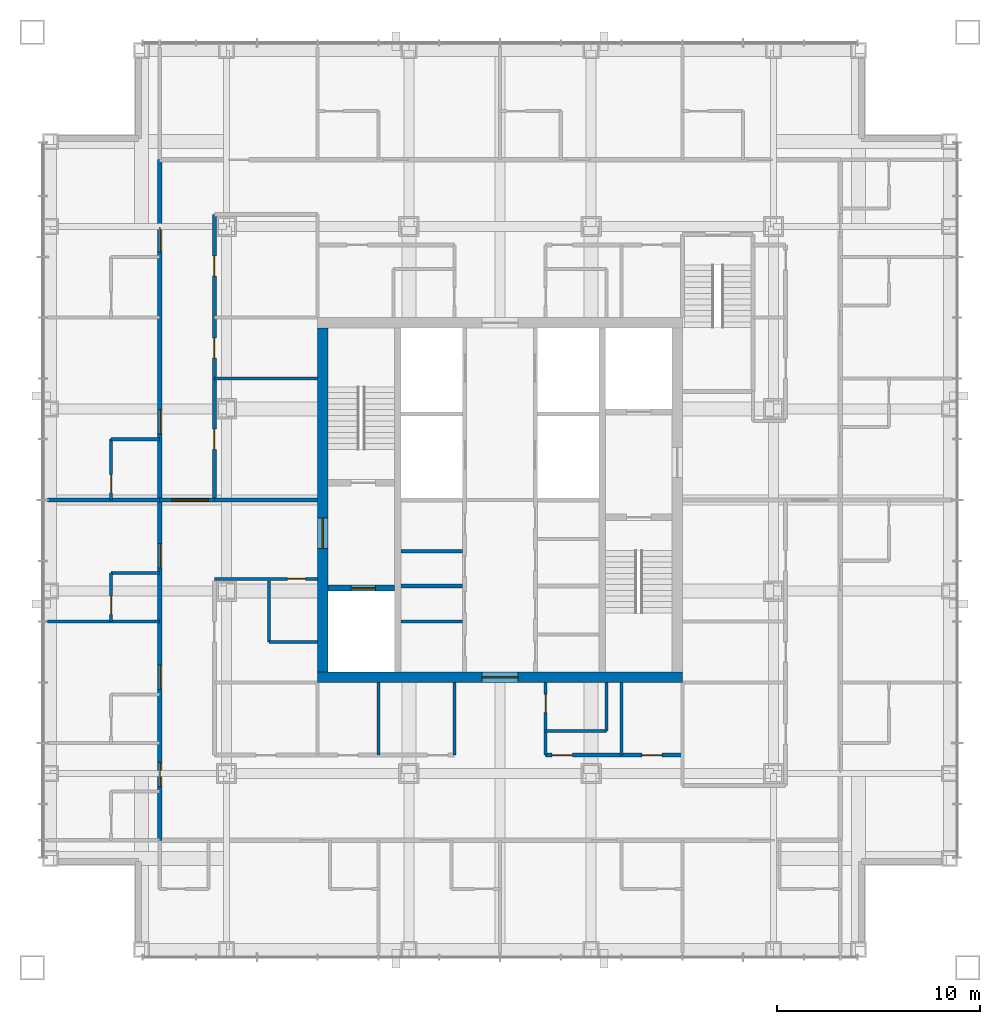
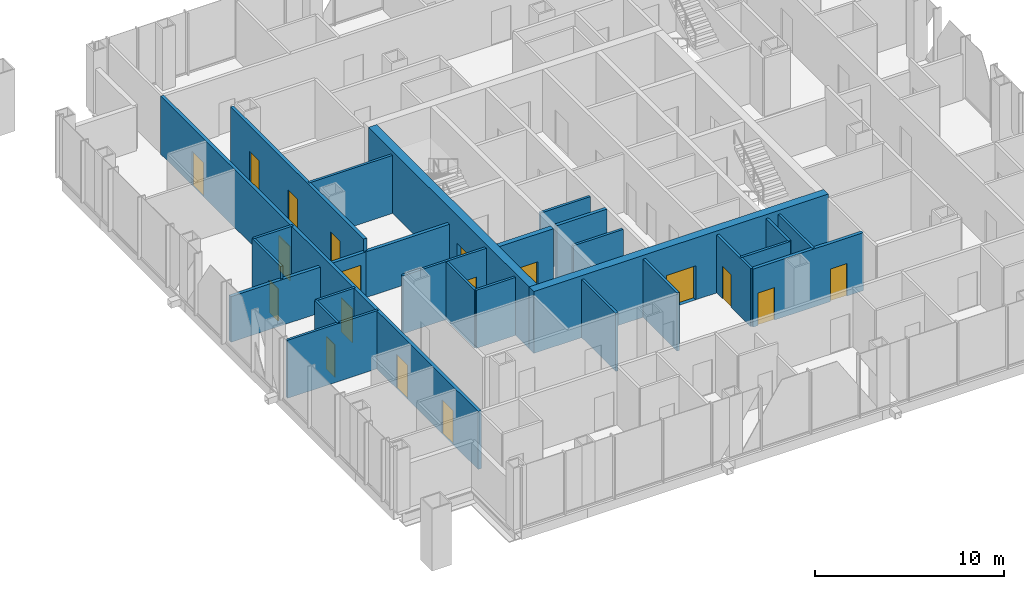
# One storey, part 8 of 17: 27 walls, 18 doors, 18 openings.
"""IFC4 building model written with IfcOpenShell, lengths in metres."""

from ifc_helpers import new_model, si_unit, direction, frame, frame_2d, origin, place, context, subcontext, project, spatial, rectangle, extrude, material, layer, layer_set, type_object, element, fill, save


model = new_model("IFC4")

# Units and contexts
model_context = context("Model", 3, precision=1e-05, world=origin(), true_north=direction((0.0, 1.0)))
body_context = subcontext(model_context, "Body", "Model", "MODEL_VIEW")
ifc_project = project(units=[si_unit("LENGTHUNIT", "METRE"), si_unit("AREAUNIT", "SQUARE_METRE"), si_unit("VOLUMEUNIT", "CUBIC_METRE"), si_unit("PLANEANGLEUNIT", "RADIAN"), si_unit("MASSUNIT", "GRAM", prefix="KILO")], contexts=[model_context])

# Site, building, storey
site_placement = place(None, origin())
site = spatial("IfcSite", under=ifc_project, at=site_placement, CompositionType="ELEMENT")
building_placement = place(site_placement, origin())
building = spatial("IfcBuilding", under=site, at=building_placement, Name="Malebo Sky Hospital", CompositionType="ELEMENT")
storey_placement = place(building_placement, frame((0.0, 0.0, 237.0)))
storey = spatial("IfcBuildingStorey", under=building, at=storey_placement, Name="L57", CompositionType="ELEMENT", Elevation=237.0)

# Wall
ifc_material_1 = material(Name="Concrete C80/95", Category="concrete")
ifc_layer_1 = layer(ifc_material_1, 0.199951171875)
ifc_layer_set_1 = layer_set([ifc_layer_1], Name="CORE INNER WALL 200")
wall_type_1 = type_object("IfcWallType", Name="CORE INNER WALL 200", PredefinedType="SHEAR", material=ifc_layer_set_1)
wall_1_placement = place(storey_placement, frame((55.10009765625, 57.75, 0.0), z_axis=(0.0, 0.0, 1.0), x_axis=(1.0, 0.0, 0.0)))
element("IfcWall", 1, at=wall_1_placement, inside=storey, type_object=wall_type_1, Name="Core wall SW0 L57", PredefinedType="SHEAR", context=body_context, shape_type="SweptSolid", body=[
    extrude(rectangle(XDim=3.0498046875, YDim=0.199951171875, at=frame_2d((1.52490234375, 0.0))), origin(), (0.0, 0.0, 1.0), 4.0),
])

# Wall, opening, door
ifc_layer_2 = layer(ifc_material_1, 0.300048828125)
ifc_layer_set_2 = layer_set([ifc_layer_2], Name="CORE INNER WALL 300")
wall_type_2 = type_object("IfcWallType", Name="CORE INNER WALL 300", PredefinedType="SHEAR", material=ifc_layer_set_2)
wall_2_placement = place(storey_placement, frame((51.5, 57.64990234375, 0.0), z_axis=(0.0, 0.0, 1.0), x_axis=(1.0, 0.0, 0.0)))
wall_2 = element("IfcWall", 2, at=wall_2_placement, inside=storey, type_object=wall_type_2, Name="Core wall W2 L57", PredefinedType="SHEAR", context=body_context, shape_type="SweptSolid", body=[
    extrude(rectangle(XDim=3.300048828125, YDim=0.300048828125, at=frame_2d((1.64990234375, 0.0))), origin(), (0.0, 0.0, 1.0), 4.0),
])
opening_1_placement = place(wall_2_placement, frame((1.14990234375, 0.0, 0.0)))
opening_1 = element("IfcOpeningElement", 3, at=opening_1_placement, cuts=wall_2, Name="Opening LD2", PredefinedType="OPENING", context=body_context, shape_type="SweptSolid", body=[
    extrude(rectangle(XDim=1.199951171875, YDim=2.199951171875, at=frame_2d((0.60009765625, 1.10009765625))), frame((0.0, 0.159912109375, 0.0), z_axis=(0.0, -1.0, 0.0), x_axis=(1.0, 0.0, 0.0)), (0.0, 0.0, 1.0), 0.320068359375),
])
ifc_material_2 = material(Name="Stainless steel sliding landing door", Category="steel")
door_type_1 = type_object("IfcDoorType", Name="FIRE-FIGHTING LIFT LANDING DOOR 1200", OperationType="SLIDING_TO_LEFT", PredefinedType="DOOR", material=ifc_material_2)
door_1_placement = place(opening_1_placement, origin())
door_1 = element("IfcDoor", 4, at=door_1_placement, inside=storey, type_object=door_type_1, Name="Lift FL1 landing door", OperationType="SLIDING_TO_LEFT", OverallHeight=2.199951171875, OverallWidth=1.199951171875, PredefinedType="DOOR", context=body_context, shape_type="SweptSolid", body=[
    extrude(rectangle(XDim=1.199951171875, YDim=2.199951171875, at=frame_2d((0.60009765625, 1.10009765625))), frame((0.0, 0.02490234375, 0.0), z_axis=(0.0, -1.0, 0.0), x_axis=(1.0, 0.0, 0.0)), (0.0, 0.0, 1.0), 0.050048828125),
])
fill(opening_1, door_1)

ifc_layer_3 = layer(ifc_material_1, 0.5)
ifc_layer_set_3 = layer_set([ifc_layer_3], Name="CORE WALL 500")
wall_type_3 = type_object("IfcWallType", Name="CORE WALL 500", PredefinedType="SHEAR", material=ifc_layer_set_3)
wall_3_placement = place(storey_placement, frame((51.0, 53.25, 0.0), z_axis=(0.0, 0.0, 1.0), x_axis=(1.0, 0.0, 0.0)))
wall_3 = element("IfcWall", 5, at=wall_3_placement, inside=storey, type_object=wall_type_3, Name="Core wall S L57", PredefinedType="SHEAR", context=body_context, shape_type="SweptSolid", body=[
    extrude(rectangle(XDim=18.0, YDim=0.5, at=frame_2d((9.0, 0.0))), origin(), (0.0, 0.0, 1.0), 4.0),
])
opening_2_placement = place(wall_3_placement, frame((8.10009765625, 0.0, 0.0)))
opening_2 = element("IfcOpeningElement", 6, at=opening_2_placement, cuts=wall_3, Name="Opening D06", PredefinedType="OPENING", context=body_context, shape_type="SweptSolid", body=[
    extrude(rectangle(XDim=1.800048828125, YDim=2.199951171875, at=frame_2d((0.89990234375, 1.10009765625))), frame((0.0, 0.260009765625, 0.0), z_axis=(0.0, -1.0, 0.0), x_axis=(1.0, 0.0, 0.0)), (0.0, 0.0, 1.0), 0.52001953125),
])
ifc_material_3 = material(Name="Hardwood-faced door leaf in steel frame", Category="steel")
door_type_2 = type_object("IfcDoorType", Name="LOBBY DOOR PAIR 1800", OperationType="DOUBLE_DOOR_SINGLE_SWING", PredefinedType="DOOR", material=ifc_material_3)
door_2_placement = place(opening_2_placement, origin())
door_2 = element("IfcDoor", 7, at=door_2_placement, inside=storey, type_object=door_type_2, Name="Service lobby door south", OperationType="DOUBLE_DOOR_SINGLE_SWING", OverallHeight=2.199951171875, OverallWidth=1.800048828125, PredefinedType="DOOR", context=body_context, shape_type="SweptSolid", body=[
    extrude(rectangle(XDim=1.800048828125, YDim=2.199951171875, at=frame_2d((0.89990234375, 1.10009765625))), frame((0.0, 0.02490234375, 0.0), z_axis=(0.0, -1.0, 0.0), x_axis=(1.0, 0.0, 0.0)), (0.0, 0.0, 1.0), 0.050048828125),
])
fill(opening_2, door_2)

wall_4_placement = place(storey_placement, frame((51.25, 53.5, 0.0), z_axis=(0.0, 0.0, 1.0), x_axis=(0.0, 1.0, 0.0)))
wall_4 = element("IfcWall", 8, at=wall_4_placement, inside=storey, type_object=wall_type_3, Name="Core wall W L57", PredefinedType="SHEAR", context=body_context, shape_type="SweptSolid", body=[
    extrude(rectangle(XDim=17.0, YDim=0.5, at=frame_2d((8.5, 0.0))), origin(), (0.0, 0.0, 1.0), 4.0),
])
opening_3_placement = place(wall_4_placement, frame((6.10009765625, 0.0, 0.0)))
opening_3 = element("IfcOpeningElement", 9, at=opening_3_placement, cuts=wall_4, Name="Opening D07", PredefinedType="OPENING", context=body_context, shape_type="SweptSolid", body=[
    extrude(rectangle(XDim=1.5, YDim=2.199951171875, at=frame_2d((0.75, 1.10009765625))), frame((0.0, 0.260009765625, 0.0), z_axis=(0.0, -1.0, 0.0), x_axis=(1.0, 0.0, 0.0)), (0.0, 0.0, 1.0), 0.52001953125),
])
door_type_3 = type_object("IfcDoorType", Name="FIRE-FIGHTING LOBBY DOOR PAIR 1500", OperationType="DOUBLE_DOOR_SINGLE_SWING", PredefinedType="DOOR", material=ifc_material_3)
door_3_placement = place(opening_3_placement, origin())
door_3 = element("IfcDoor", 10, at=door_3_placement, inside=storey, type_object=door_type_3, Name="Fire-fighting lobby door west", OperationType="DOUBLE_DOOR_SINGLE_SWING", OverallHeight=2.199951171875, OverallWidth=1.5, PredefinedType="DOOR", context=body_context, shape_type="SweptSolid", body=[
    extrude(rectangle(XDim=1.5, YDim=2.199951171875, at=frame_2d((0.75, 1.10009765625))), frame((0.0, 0.02490234375, 0.0), z_axis=(0.0, -1.0, 0.0), x_axis=(1.0, 0.0, 0.0)), (0.0, 0.0, 1.0), 0.050048828125),
])
fill(opening_3, door_3)

# Wall, openings, doors
ifc_material_4 = material(Name="Gypsum board on steel studs", Category="steel")
ifc_layer_4 = layer(ifc_material_4, 0.199951171875)
ifc_layer_set_4 = layer_set([ifc_layer_4], Name="CORRIDOR WALL 200")
wall_type_4 = type_object("IfcWallType", Name="CORRIDOR WALL 200", PredefinedType="PARTITIONING", material=ifc_layer_set_4)
wall_5_placement = place(storey_placement, frame((43.199951171875, 45.199951171875, 0.0), z_axis=(0.0, 0.0, 1.0), x_axis=(0.0, 1.0, 0.0)))
wall_5 = element("IfcWall", 11, at=wall_5_placement, inside=storey, type_object=wall_type_4, Name="Corridor Wall 200 WCO", PredefinedType="PARTITIONING", context=body_context, shape_type="SweptSolid", body=[
    extrude(rectangle(XDim=33.60009765625, YDim=0.199951171875, at=frame_2d((16.800048828125, 0.0))), origin(), (0.0, 0.0, 1.0), 3.75),
])
opening_4_placement = place(wall_5_placement, frame((2.64990234375, 0.0, 0.0)))
opening_4 = element("IfcOpeningElement", 12, at=opening_4_placement, cuts=wall_5, Name="Opening D01", PredefinedType="OPENING", context=body_context, shape_type="SweptSolid", body=[
    extrude(rectangle(XDim=1.199951171875, YDim=2.199951171875, at=frame_2d((0.60009765625, 1.10009765625))), frame((0.0, 0.10986328125, 0.0), z_axis=(0.0, -1.0, 0.0), x_axis=(1.0, 0.0, 0.0)), (0.0, 0.0, 1.0), 0.219970703125),
])
opening_5_placement = place(wall_5_placement, frame((7.449951171875, 0.0, 0.0)))
opening_5 = element("IfcOpeningElement", 13, at=opening_5_placement, cuts=wall_5, Name="Opening D01", PredefinedType="OPENING", context=body_context, shape_type="SweptSolid", body=[
    extrude(rectangle(XDim=1.199951171875, YDim=2.199951171875, at=frame_2d((0.60009765625, 1.10009765625))), frame((0.0, 0.10986328125, 0.0), z_axis=(0.0, -1.0, 0.0), x_axis=(1.0, 0.0, 0.0)), (0.0, 0.0, 1.0), 0.219970703125),
])
opening_6_placement = place(wall_5_placement, frame((13.449951171875, 0.0, 0.0)))
opening_6 = element("IfcOpeningElement", 14, at=opening_6_placement, cuts=wall_5, Name="Opening D01", PredefinedType="OPENING", context=body_context, shape_type="SweptSolid", body=[
    extrude(rectangle(XDim=1.199951171875, YDim=2.199951171875, at=frame_2d((0.60009765625, 1.10009765625))), frame((0.0, 0.10986328125, 0.0), z_axis=(0.0, -1.0, 0.0), x_axis=(1.0, 0.0, 0.0)), (0.0, 0.0, 1.0), 0.219970703125),
])
opening_7_placement = place(wall_5_placement, frame((20.050048828125, 0.0, 0.0)))
opening_7 = element("IfcOpeningElement", 15, at=opening_7_placement, cuts=wall_5, Name="Opening D01", PredefinedType="OPENING", context=body_context, shape_type="SweptSolid", body=[
    extrude(rectangle(XDim=1.199951171875, YDim=2.199951171875, at=frame_2d((0.60009765625, 1.10009765625))), frame((0.0, 0.10986328125, 0.0), z_axis=(0.0, -1.0, 0.0), x_axis=(1.0, 0.0, 0.0)), (0.0, 0.0, 1.0), 0.219970703125),
])
opening_8_placement = place(wall_5_placement, frame((29.050048828125, 0.0, 0.0)))
opening_8 = element("IfcOpeningElement", 16, at=opening_8_placement, cuts=wall_5, Name="Opening D01", PredefinedType="OPENING", context=body_context, shape_type="SweptSolid", body=[
    extrude(rectangle(XDim=1.199951171875, YDim=2.199951171875, at=frame_2d((0.60009765625, 1.10009765625))), frame((0.0, 0.10986328125, 0.0), z_axis=(0.0, -1.0, 0.0), x_axis=(1.0, 0.0, 0.0)), (0.0, 0.0, 1.0), 0.219970703125),
])
door_type_4 = type_object("IfcDoorType", Name="BED DOOR 1200", OperationType="SINGLE_SWING_LEFT", PredefinedType="DOOR", material=ifc_material_3)
door_4_placement = place(opening_4_placement, origin())
door_4 = element("IfcDoor", 17, at=door_4_placement, inside=storey, type_object=door_type_4, Name="Single bed room door", OperationType="SINGLE_SWING_LEFT", OverallHeight=2.199951171875, OverallWidth=1.199951171875, PredefinedType="DOOR", context=body_context, shape_type="SweptSolid", body=[
    extrude(rectangle(XDim=1.199951171875, YDim=2.199951171875, at=frame_2d((0.60009765625, 1.10009765625))), frame((0.0, 0.02490234375, 0.0), z_axis=(0.0, -1.0, 0.0), x_axis=(1.0, 0.0, 0.0)), (0.0, 0.0, 1.0), 0.050048828125),
])
fill(opening_4, door_4)
door_5_placement = place(opening_5_placement, origin())
door_5 = element("IfcDoor", 18, at=door_5_placement, inside=storey, type_object=door_type_4, Name="Single bed room door", OperationType="SINGLE_SWING_LEFT", OverallHeight=2.199951171875, OverallWidth=1.199951171875, PredefinedType="DOOR", context=body_context, shape_type="SweptSolid", body=[
    extrude(rectangle(XDim=1.199951171875, YDim=2.199951171875, at=frame_2d((0.60009765625, 1.10009765625))), frame((0.0, 0.02490234375, 0.0), z_axis=(0.0, -1.0, 0.0), x_axis=(1.0, 0.0, 0.0)), (0.0, 0.0, 1.0), 0.050048828125),
])
fill(opening_5, door_5)
door_6_placement = place(opening_6_placement, origin())
door_6 = element("IfcDoor", 19, at=door_6_placement, inside=storey, type_object=door_type_4, Name="Parent room door", OperationType="SINGLE_SWING_LEFT", OverallHeight=2.199951171875, OverallWidth=1.199951171875, PredefinedType="DOOR", context=body_context, shape_type="SweptSolid", body=[
    extrude(rectangle(XDim=1.199951171875, YDim=2.199951171875, at=frame_2d((0.60009765625, 1.10009765625))), frame((0.0, 0.02490234375, 0.0), z_axis=(0.0, -1.0, 0.0), x_axis=(1.0, 0.0, 0.0)), (0.0, 0.0, 1.0), 0.050048828125),
])
fill(opening_6, door_6)
door_7_placement = place(opening_7_placement, origin())
door_7 = element("IfcDoor", 20, at=door_7_placement, inside=storey, type_object=door_type_4, Name="Two-bed room door", OperationType="SINGLE_SWING_LEFT", OverallHeight=2.199951171875, OverallWidth=1.199951171875, PredefinedType="DOOR", context=body_context, shape_type="SweptSolid", body=[
    extrude(rectangle(XDim=1.199951171875, YDim=2.199951171875, at=frame_2d((0.60009765625, 1.10009765625))), frame((0.0, 0.02490234375, 0.0), z_axis=(0.0, -1.0, 0.0), x_axis=(1.0, 0.0, 0.0)), (0.0, 0.0, 1.0), 0.050048828125),
])
fill(opening_7, door_7)
door_8_placement = place(opening_8_placement, origin())
door_8 = element("IfcDoor", 21, at=door_8_placement, inside=storey, type_object=door_type_4, Name="Two-bed room door", OperationType="SINGLE_SWING_LEFT", OverallHeight=2.199951171875, OverallWidth=1.199951171875, PredefinedType="DOOR", context=body_context, shape_type="SweptSolid", body=[
    extrude(rectangle(XDim=1.199951171875, YDim=2.199951171875, at=frame_2d((0.60009765625, 1.10009765625))), frame((0.0, 0.02490234375, 0.0), z_axis=(0.0, -1.0, 0.0), x_axis=(1.0, 0.0, 0.0)), (0.0, 0.0, 1.0), 0.050048828125),
])
fill(opening_8, door_8)

wall_6_placement = place(storey_placement, frame((45.89990234375, 62.0, 0.0), z_axis=(0.0, 0.0, 1.0), x_axis=(0.0, 1.0, 0.0)))
wall_6 = element("IfcWall", 22, at=wall_6_placement, inside=storey, type_object=wall_type_4, Name="Corridor Wall 200 WCI2", PredefinedType="PARTITIONING", context=body_context, shape_type="SweptSolid", body=[
    extrude(rectangle(XDim=14.10009765625, YDim=0.199951171875, at=frame_2d((7.050048828125, 0.0))), origin(), (0.0, 0.0, 1.0), 3.75),
])
opening_9_placement = place(wall_6_placement, frame((2.5, 0.0, 0.0)))
opening_9 = element("IfcOpeningElement", 23, at=opening_9_placement, cuts=wall_6, Name="Opening D03", PredefinedType="OPENING", context=body_context, shape_type="SweptSolid", body=[
    extrude(rectangle(XDim=1.0, YDim=2.10009765625, at=frame_2d((0.5, 1.050048828125))), frame((0.0, 0.10986328125, 0.0), z_axis=(0.0, -1.0, 0.0), x_axis=(1.0, 0.0, 0.0)), (0.0, 0.0, 1.0), 0.219970703125),
])
opening_10_placement = place(wall_6_placement, frame((7.0, 0.0, 0.0)))
opening_10 = element("IfcOpeningElement", 24, at=opening_10_placement, cuts=wall_6, Name="Opening D03", PredefinedType="OPENING", context=body_context, shape_type="SweptSolid", body=[
    extrude(rectangle(XDim=1.0, YDim=2.10009765625, at=frame_2d((0.5, 1.050048828125))), frame((0.0, 0.10986328125, 0.0), z_axis=(0.0, -1.0, 0.0), x_axis=(1.0, 0.0, 0.0)), (0.0, 0.0, 1.0), 0.219970703125),
])
opening_11_placement = place(wall_6_placement, frame((11.050048828125, 0.0, 0.0)))
opening_11 = element("IfcOpeningElement", 25, at=opening_11_placement, cuts=wall_6, Name="Opening D03", PredefinedType="OPENING", context=body_context, shape_type="SweptSolid", body=[
    extrude(rectangle(XDim=1.0, YDim=2.10009765625, at=frame_2d((0.5, 1.050048828125))), frame((0.0, 0.10986328125, 0.0), z_axis=(0.0, -1.0, 0.0), x_axis=(1.0, 0.0, 0.0)), (0.0, 0.0, 1.0), 0.219970703125),
])
door_type_5 = type_object("IfcDoorType", Name="ROOM DOOR 1000", OperationType="SINGLE_SWING_LEFT", PredefinedType="DOOR", material=ifc_material_3)
door_9_placement = place(opening_9_placement, origin())
door_9 = element("IfcDoor", 26, at=door_9_placement, inside=storey, type_object=door_type_5, Name="Nurse station door", OperationType="SINGLE_SWING_LEFT", OverallHeight=2.10009765625, OverallWidth=1.0, PredefinedType="DOOR", context=body_context, shape_type="SweptSolid", body=[
    extrude(rectangle(XDim=1.0, YDim=2.10009765625, at=frame_2d((0.5, 1.050048828125))), frame((0.0, 0.02490234375, 0.0), z_axis=(0.0, -1.0, 0.0), x_axis=(1.0, 0.0, 0.0)), (0.0, 0.0, 1.0), 0.050048828125),
])
fill(opening_9, door_9)
door_10_placement = place(opening_10_placement, origin())
door_10 = element("IfcDoor", 27, at=door_10_placement, inside=storey, type_object=door_type_5, Name="Clean utility room door", OperationType="SINGLE_SWING_LEFT", OverallHeight=2.10009765625, OverallWidth=1.0, PredefinedType="DOOR", context=body_context, shape_type="SweptSolid", body=[
    extrude(rectangle(XDim=1.0, YDim=2.10009765625, at=frame_2d((0.5, 1.050048828125))), frame((0.0, 0.02490234375, 0.0), z_axis=(0.0, -1.0, 0.0), x_axis=(1.0, 0.0, 0.0)), (0.0, 0.0, 1.0), 0.050048828125),
])
fill(opening_10, door_10)
door_11_placement = place(opening_11_placement, origin())
door_11 = element("IfcDoor", 28, at=door_11_placement, inside=storey, type_object=door_type_5, Name="Expressing room door", OperationType="SINGLE_SWING_RIGHT", OverallHeight=2.10009765625, OverallWidth=1.0, PredefinedType="DOOR", context=body_context, shape_type="SweptSolid", body=[
    extrude(rectangle(XDim=1.0, YDim=2.10009765625, at=frame_2d((0.5, 1.050048828125))), frame((0.0, 0.02490234375, 0.0), z_axis=(0.0, -1.0, 0.0), x_axis=(1.0, 0.0, 0.0)), (0.0, 0.0, 1.0), 0.050048828125),
])
fill(opening_11, door_11)

wall_7_placement = place(storey_placement, frame((69.0, 49.39990234375, 0.0), z_axis=(0.0, 0.0, 1.0), x_axis=(-1.0, 0.0, 0.0)))
wall_7 = element("IfcWall", 29, at=wall_7_placement, inside=storey, type_object=wall_type_4, Name="Corridor Wall 200 SCI1", PredefinedType="PARTITIONING", context=body_context, shape_type="SweptSolid", body=[
    extrude(rectangle(XDim=6.75, YDim=0.199951171875, at=frame_2d((3.375, 0.0))), origin(), (0.0, 0.0, 1.0), 3.75),
])
opening_12_placement = place(wall_7_placement, frame((1.0, 0.0, 0.0)))
opening_12 = element("IfcOpeningElement", 30, at=opening_12_placement, cuts=wall_7, Name="Opening D03", PredefinedType="OPENING", context=body_context, shape_type="SweptSolid", body=[
    extrude(rectangle(XDim=1.0, YDim=2.10009765625, at=frame_2d((0.5, 1.050048828125))), frame((0.0, 0.10986328125, 0.0), z_axis=(0.0, -1.0, 0.0), x_axis=(1.0, 0.0, 0.0)), (0.0, 0.0, 1.0), 0.219970703125),
])
opening_13_placement = place(wall_7_placement, frame((5.425048828125, 0.0, 0.0)))
opening_13 = element("IfcOpeningElement", 31, at=opening_13_placement, cuts=wall_7, Name="Opening D03", PredefinedType="OPENING", context=body_context, shape_type="SweptSolid", body=[
    extrude(rectangle(XDim=1.0, YDim=2.10009765625, at=frame_2d((0.5, 1.050048828125))), frame((0.0, 0.10986328125, 0.0), z_axis=(0.0, -1.0, 0.0), x_axis=(1.0, 0.0, 0.0)), (0.0, 0.0, 1.0), 0.219970703125),
])
door_12_placement = place(opening_12_placement, origin())
door_12 = element("IfcDoor", 32, at=door_12_placement, inside=storey, type_object=door_type_5, Name="Dirty utility room door", OperationType="SINGLE_SWING_LEFT", OverallHeight=2.10009765625, OverallWidth=1.0, PredefinedType="DOOR", context=body_context, shape_type="SweptSolid", body=[
    extrude(rectangle(XDim=1.0, YDim=2.10009765625, at=frame_2d((0.5, 1.050048828125))), frame((0.0, 0.02490234375, 0.0), z_axis=(0.0, -1.0, 0.0), x_axis=(1.0, 0.0, 0.0)), (0.0, 0.0, 1.0), 0.050048828125),
])
fill(opening_12, door_12)
door_13_placement = place(opening_13_placement, origin())
door_13 = element("IfcDoor", 33, at=door_13_placement, inside=storey, type_object=door_type_5, Name="Linen store door", OperationType="SINGLE_SWING_RIGHT", OverallHeight=2.10009765625, OverallWidth=1.0, PredefinedType="DOOR", context=body_context, shape_type="SweptSolid", body=[
    extrude(rectangle(XDim=1.0, YDim=2.10009765625, at=frame_2d((0.5, 1.050048828125))), frame((0.0, 0.02490234375, 0.0), z_axis=(0.0, -1.0, 0.0), x_axis=(1.0, 0.0, 0.0)), (0.0, 0.0, 1.0), 0.050048828125),
])
fill(opening_13, door_13)

# Wall
ifc_layer_5 = layer(ifc_material_4, 0.14990234375)
ifc_layer_set_5 = layer_set([ifc_layer_5], Name="PARTITION 150")
wall_type_5 = type_object("IfcWallType", Name="PARTITION 150", PredefinedType="PARTITIONING", material=ifc_layer_set_5)
wall_8_placement = place(storey_placement, frame((43.199951171875, 56.0, 0.0), z_axis=(0.0, 0.0, 1.0), x_axis=(-1.0, 0.0, 0.0)))
element("IfcWall", 34, at=wall_8_placement, inside=storey, type_object=wall_type_5, Name="Partition 150 WP-6.0", PredefinedType="PARTITIONING", context=body_context, shape_type="SweptSolid", body=[
    extrude(rectangle(XDim=5.550048828125, YDim=0.14990234375, at=frame_2d((2.77490234375, 0.0))), origin(), (0.0, 0.0, 1.0), 3.75),
])

# Wall, opening, door
wall_9_placement = place(storey_placement, frame((40.800048828125, 56.0, 0.0), z_axis=(0.0, 0.0, 1.0), x_axis=(0.0, 1.0, 0.0)))
wall_9 = element("IfcWall", 35, at=wall_9_placement, inside=storey, type_object=wall_type_5, Name="Partition 150 WE2F", PredefinedType="PARTITIONING", context=body_context, shape_type="SweptSolid", body=[
    extrude(rectangle(XDim=2.39990234375, YDim=0.14990234375, at=frame_2d((1.199951171875, 0.0))), origin(), (0.0, 0.0, 1.0), 3.75),
])
opening_14_placement = place(wall_9_placement, frame((0.35009765625, 0.0, 0.0)))
opening_14 = element("IfcOpeningElement", 36, at=opening_14_placement, cuts=wall_9, Name="Opening D02", PredefinedType="OPENING", context=body_context, shape_type="SweptSolid", body=[
    extrude(rectangle(XDim=0.89990234375, YDim=2.10009765625, at=frame_2d((0.449951171875, 1.050048828125))), frame((0.0, 0.0849609375, 0.0), z_axis=(0.0, -1.0, 0.0), x_axis=(1.0, 0.0, 0.0)), (0.0, 0.0, 1.0), 0.169921875),
])
door_type_6 = type_object("IfcDoorType", Name="EN-SUITE DOOR 900", OperationType="SINGLE_SWING_LEFT", PredefinedType="DOOR", material=ifc_material_3)
door_14_placement = place(opening_14_placement, origin())
door_14 = element("IfcDoor", 37, at=door_14_placement, inside=storey, type_object=door_type_6, Name="En-suite door", OperationType="SINGLE_SWING_LEFT", OverallHeight=2.10009765625, OverallWidth=0.89990234375, PredefinedType="DOOR", context=body_context, shape_type="SweptSolid", body=[
    extrude(rectangle(XDim=0.89990234375, YDim=2.10009765625, at=frame_2d((0.449951171875, 1.050048828125))), frame((0.0, 0.02490234375, 0.0), z_axis=(0.0, -1.0, 0.0), x_axis=(1.0, 0.0, 0.0)), (0.0, 0.0, 1.0), 0.050048828125),
])
fill(opening_14, door_14)

# Wall
wall_10_placement = place(storey_placement, frame((43.199951171875, 58.39990234375, 0.0), z_axis=(0.0, 0.0, 1.0), x_axis=(-1.0, 0.0, 0.0)))
element("IfcWall", 38, at=wall_10_placement, inside=storey, type_object=wall_type_5, Name="Partition 150 WE2S", PredefinedType="PARTITIONING", context=body_context, shape_type="SweptSolid", body=[
    extrude(rectangle(XDim=2.39990234375, YDim=0.14990234375, at=frame_2d((1.199951171875, 0.0))), origin(), (0.0, 0.0, 1.0), 3.75),
])

# Wall, opening, door
wall_11_placement = place(storey_placement, frame((40.800048828125, 62.0, 0.0), z_axis=(0.0, 0.0, 1.0), x_axis=(0.0, 1.0, 0.0)))
wall_11 = element("IfcWall", 39, at=wall_11_placement, inside=storey, type_object=wall_type_5, Name="Partition 150 WE3F", PredefinedType="PARTITIONING", context=body_context, shape_type="SweptSolid", body=[
    extrude(rectangle(XDim=3.0, YDim=0.14990234375, at=frame_2d((1.5, 0.0))), origin(), (0.0, 0.0, 1.0), 3.75),
])
opening_15_placement = place(wall_11_placement, frame((0.35009765625, 0.0, 0.0)))
opening_15 = element("IfcOpeningElement", 40, at=opening_15_placement, cuts=wall_11, Name="Opening D02", PredefinedType="OPENING", context=body_context, shape_type="SweptSolid", body=[
    extrude(rectangle(XDim=0.89990234375, YDim=2.10009765625, at=frame_2d((0.449951171875, 1.050048828125))), frame((0.0, 0.0849609375, 0.0), z_axis=(0.0, -1.0, 0.0), x_axis=(1.0, 0.0, 0.0)), (0.0, 0.0, 1.0), 0.169921875),
])
door_15_placement = place(opening_15_placement, origin())
door_15 = element("IfcDoor", 41, at=door_15_placement, inside=storey, type_object=door_type_6, Name="En-suite door", OperationType="SINGLE_SWING_LEFT", OverallHeight=2.10009765625, OverallWidth=0.89990234375, PredefinedType="DOOR", context=body_context, shape_type="SweptSolid", body=[
    extrude(rectangle(XDim=0.89990234375, YDim=2.10009765625, at=frame_2d((0.449951171875, 1.050048828125))), frame((0.0, 0.02490234375, 0.0), z_axis=(0.0, -1.0, 0.0), x_axis=(1.0, 0.0, 0.0)), (0.0, 0.0, 1.0), 0.050048828125),
])
fill(opening_15, door_15)

# Wall
wall_12_placement = place(storey_placement, frame((43.199951171875, 65.0, 0.0), z_axis=(0.0, 0.0, 1.0), x_axis=(-1.0, 0.0, 0.0)))
element("IfcWall", 42, at=wall_12_placement, inside=storey, type_object=wall_type_5, Name="Partition 150 WE3S", PredefinedType="PARTITIONING", context=body_context, shape_type="SweptSolid", body=[
    extrude(rectangle(XDim=2.39990234375, YDim=0.14990234375, at=frame_2d((1.199951171875, 0.0))), origin(), (0.0, 0.0, 1.0), 3.75),
])

# Wall, opening, door
wall_13_placement = place(storey_placement, frame((51.0, 58.10009765625, 0.0), z_axis=(0.0, 0.0, 1.0), x_axis=(-1.0, 0.0, 0.0)))
wall_13 = element("IfcWall", 43, at=wall_13_placement, inside=storey, type_object=wall_type_5, Name="Partition 150 WSPA", PredefinedType="PARTITIONING", context=body_context, shape_type="SweptSolid", body=[
    extrude(rectangle(XDim=5.10009765625, YDim=0.14990234375, at=frame_2d((2.550048828125, 0.0))), origin(), (0.0, 0.0, 1.0), 3.75),
])
opening_16_placement = place(wall_13_placement, frame((0.60009765625, 0.0, 0.0)))
opening_16 = element("IfcOpeningElement", 44, at=opening_16_placement, cuts=wall_13, Name="Opening D04", PredefinedType="OPENING", context=body_context, shape_type="SweptSolid", body=[
    extrude(rectangle(XDim=0.89990234375, YDim=2.10009765625, at=frame_2d((0.449951171875, 1.050048828125))), frame((0.0, 0.0849609375, 0.0), z_axis=(0.0, -1.0, 0.0), x_axis=(1.0, 0.0, 0.0)), (0.0, 0.0, 1.0), 0.169921875),
])
door_type_7 = type_object("IfcDoorType", Name="ROOM DOOR 900", OperationType="SINGLE_SWING_LEFT", PredefinedType="DOOR", material=ifc_material_3)
door_16_placement = place(opening_16_placement, origin())
door_16 = element("IfcDoor", 45, at=door_16_placement, inside=storey, type_object=door_type_7, Name="Cleaner's room door", OperationType="SINGLE_SWING_LEFT", OverallHeight=2.10009765625, OverallWidth=0.89990234375, PredefinedType="DOOR", context=body_context, shape_type="SweptSolid", body=[
    extrude(rectangle(XDim=0.89990234375, YDim=2.10009765625, at=frame_2d((0.449951171875, 1.050048828125))), frame((0.0, 0.02490234375, 0.0), z_axis=(0.0, -1.0, 0.0), x_axis=(1.0, 0.0, 0.0)), (0.0, 0.0, 1.0), 0.050048828125),
])
fill(opening_16, door_16)

# Walls
wall_14_placement = place(storey_placement, frame((51.0, 68.0, 0.0), z_axis=(0.0, 0.0, 1.0), x_axis=(-1.0, 0.0, 0.0)))
element("IfcWall", 46, at=wall_14_placement, inside=storey, type_object=wall_type_5, Name="Partition 150 WSP+6.0", PredefinedType="PARTITIONING", context=body_context, shape_type="SweptSolid", body=[
    extrude(rectangle(XDim=5.10009765625, YDim=0.14990234375, at=frame_2d((2.550048828125, 0.0))), origin(), (0.0, 0.0, 1.0), 3.75),
])
wall_15_placement = place(storey_placement, frame((48.60009765625, 55.0, 0.0), z_axis=(0.0, 0.0, 1.0), x_axis=(0.0, 1.0, 0.0)))
element("IfcWall", 47, at=wall_15_placement, inside=storey, type_object=wall_type_5, Name="Partition 150 WSX0", PredefinedType="PARTITIONING", context=body_context, shape_type="SweptSolid", body=[
    extrude(rectangle(XDim=3.0, YDim=0.14990234375, at=frame_2d((1.5, 0.0))), origin(), (0.0, 0.0, 1.0), 3.75),
])
wall_16_placement = place(storey_placement, frame((51.0, 55.0, 0.0), z_axis=(0.0, 0.0, 1.0), x_axis=(-1.0, 0.0, 0.0)))
element("IfcWall", 48, at=wall_16_placement, inside=storey, type_object=wall_type_5, Name="Partition 150 WSY0", PredefinedType="PARTITIONING", context=body_context, shape_type="SweptSolid", body=[
    extrude(rectangle(XDim=2.39990234375, YDim=0.14990234375, at=frame_2d((1.199951171875, 0.0))), origin(), (0.0, 0.0, 1.0), 3.75),
])

# Wall, opening, door
wall_17_placement = place(storey_placement, frame((62.25, 53.0, 0.0), z_axis=(0.0, 0.0, 1.0), x_axis=(0.0, -1.0, 0.0)))
wall_17 = element("IfcWall", 49, at=wall_17_placement, inside=storey, type_object=wall_type_5, Name="Partition 150 SSPA", PredefinedType="PARTITIONING", context=body_context, shape_type="SweptSolid", body=[
    extrude(rectangle(XDim=3.60009765625, YDim=0.14990234375, at=frame_2d((1.800048828125, 0.0))), origin(), (0.0, 0.0, 1.0), 3.75),
])
opening_17_placement = place(wall_17_placement, frame((0.60009765625, 0.0, 0.0)))
opening_17 = element("IfcOpeningElement", 50, at=opening_17_placement, cuts=wall_17, Name="Opening D04", PredefinedType="OPENING", context=body_context, shape_type="SweptSolid", body=[
    extrude(rectangle(XDim=0.89990234375, YDim=2.10009765625, at=frame_2d((0.449951171875, 1.050048828125))), frame((0.0, 0.0849609375, 0.0), z_axis=(0.0, -1.0, 0.0), x_axis=(1.0, 0.0, 0.0)), (0.0, 0.0, 1.0), 0.169921875),
])
door_17_placement = place(opening_17_placement, origin())
door_17 = element("IfcDoor", 51, at=door_17_placement, inside=storey, type_object=door_type_7, Name="Visitor WC door", OperationType="SINGLE_SWING_LEFT", OverallHeight=2.10009765625, OverallWidth=0.89990234375, PredefinedType="DOOR", context=body_context, shape_type="SweptSolid", body=[
    extrude(rectangle(XDim=0.89990234375, YDim=2.10009765625, at=frame_2d((0.449951171875, 1.050048828125))), frame((0.0, 0.02490234375, 0.0), z_axis=(0.0, -1.0, 0.0), x_axis=(1.0, 0.0, 0.0)), (0.0, 0.0, 1.0), 0.050048828125),
])
fill(opening_17, door_17)

# Walls
for number, where, z_axis, x_axis, name in (
    (52, (57.75, 53.0, 0.0), (0.0, 0.0, 1.0), (0.0, -1.0, 0.0), "Partition 150 SSPB"),
    (53, (66.0, 53.0, 0.0), (0.0, 0.0, 1.0), (0.0, -1.0, 0.0), "Partition 150 SSP-6.0"),
    (54, (54.0, 53.0, 0.0), (0.0, 0.0, 1.0), (0.0, -1.0, 0.0), "Partition 150 SSP+6.0"),
):
    element("IfcWall", number, at=place(storey_placement, frame(where, z_axis=z_axis, x_axis=x_axis)), inside=storey, type_object=wall_type_5, Name=name, PredefinedType="PARTITIONING", context=body_context, shape_type="SweptSolid", body=[
        extrude(rectangle(XDim=3.60009765625, YDim=0.14990234375, at=frame_2d((1.800048828125, 0.0))), origin(), (0.0, 0.0, 1.0), 3.75),
    ])
wall_18_placement = place(storey_placement, frame((65.25, 50.60009765625, 0.0), z_axis=(0.0, 0.0, 1.0), x_axis=(-1.0, 0.0, 0.0)))
element("IfcWall", 55, at=wall_18_placement, inside=storey, type_object=wall_type_5, Name="Partition 150 SSX1", PredefinedType="PARTITIONING", context=body_context, shape_type="SweptSolid", body=[
    extrude(rectangle(XDim=3.0, YDim=0.14990234375, at=frame_2d((1.5, 0.0))), origin(), (0.0, 0.0, 1.0), 3.75),
])
wall_19_placement = place(storey_placement, frame((65.25, 53.0, 0.0), z_axis=(0.0, 0.0, 1.0), x_axis=(0.0, -1.0, 0.0)))
element("IfcWall", 56, at=wall_19_placement, inside=storey, type_object=wall_type_5, Name="Partition 150 SSY1", PredefinedType="PARTITIONING", context=body_context, shape_type="SweptSolid", body=[
    extrude(rectangle(XDim=2.39990234375, YDim=0.14990234375, at=frame_2d((1.199951171875, 0.0))), origin(), (0.0, 0.0, 1.0), 3.75),
])
for number, where, z_axis, x_axis, name in (
    (57, (55.10009765625, 55.989990234375, 0.0), (0.0, 0.0, 1.0), (1.0, 0.0, 0.0), "Partition 150 SHW1"),
    (58, (55.10009765625, 59.469970703125, 0.0), (0.0, 0.0, 1.0), (1.0, 0.0, 0.0), "Partition 150 SHW2"),
):
    element("IfcWall", number, at=place(storey_placement, frame(where, z_axis=z_axis, x_axis=x_axis)), inside=storey, type_object=wall_type_5, Name=name, PredefinedType="PARTITIONING", context=body_context, shape_type="SweptSolid", body=[
        extrude(rectangle(XDim=3.0498046875, YDim=0.14990234375, at=frame_2d((1.52490234375, 0.0))), origin(), (0.0, 0.0, 1.0), 3.75),
    ])
ifc_material_5 = material(Name="Concrete blockwork", Category="masonry")
ifc_layer_6 = layer(ifc_material_5, 0.199951171875)
ifc_layer_set_6 = layer_set([ifc_layer_6], Name="SMOKE BARRIER WALL 200")
wall_type_6 = type_object("IfcWallType", Name="SMOKE BARRIER WALL 200", PredefinedType="SOLIDWALL", material=ifc_layer_set_6)
wall_20_placement = place(storey_placement, frame((43.199951171875, 62.0, 0.0), z_axis=(0.0, 0.0, 1.0), x_axis=(-1.0, 0.0, 0.0)))
element("IfcWall", 59, at=wall_20_placement, inside=storey, type_object=wall_type_6, Name="Smoke Barrier Wall 200 WP+0.0", PredefinedType="SOLIDWALL", context=body_context, shape_type="SweptSolid", body=[
    extrude(rectangle(XDim=5.550048828125, YDim=0.199951171875, at=frame_2d((2.77490234375, 0.0))), origin(), (0.0, 0.0, 1.0), 2.949951171875),
])
wall_21_placement = place(storey_placement, frame((51.0, 62.0, 0.0), z_axis=(0.0, 0.0, 1.0), x_axis=(-1.0, 0.0, 0.0)))
element("IfcWall", 60, at=wall_21_placement, inside=storey, type_object=wall_type_6, Name="Smoke Barrier Wall 200 WSPB", PredefinedType="SOLIDWALL", context=body_context, shape_type="SweptSolid", body=[
    extrude(rectangle(XDim=5.10009765625, YDim=0.199951171875, at=frame_2d((2.550048828125, 0.0))), origin(), (0.0, 0.0, 1.0), 2.949951171875),
])

# Wall, opening, door
wall_22_placement = place(storey_placement, frame((45.89990234375, 62.0, 0.0), z_axis=(0.0, 0.0, 1.0), x_axis=(-1.0, 0.0, 0.0)))
wall_22 = element("IfcWall", 61, at=wall_22_placement, inside=storey, type_object=wall_type_6, Name="Smoke Barrier Wall 200 WSB", PredefinedType="SOLIDWALL", context=body_context, shape_type="SweptSolid", body=[
    extrude(rectangle(XDim=2.699951171875, YDim=0.199951171875, at=frame_2d((1.35009765625, 0.0))), origin(), (0.0, 0.0, 1.0), 2.949951171875),
])
opening_18_placement = place(wall_22_placement, frame((0.300048828125, 0.0, 0.0)))
opening_18 = element("IfcOpeningElement", 62, at=opening_18_placement, cuts=wall_22, Name="Opening D05", PredefinedType="OPENING", context=body_context, shape_type="SweptSolid", body=[
    extrude(rectangle(XDim=1.800048828125, YDim=2.199951171875, at=frame_2d((0.89990234375, 1.10009765625))), frame((0.0, 0.10986328125, 0.0), z_axis=(0.0, -1.0, 0.0), x_axis=(1.0, 0.0, 0.0)), (0.0, 0.0, 1.0), 0.219970703125),
])
door_type_8 = type_object("IfcDoorType", Name="SMOKE DOOR PAIR 1800", OperationType="DOUBLE_DOOR_DOUBLE_SWING", PredefinedType="DOOR", material=ifc_material_3)
door_18_placement = place(opening_18_placement, origin())
door_18 = element("IfcDoor", 63, at=door_18_placement, inside=storey, type_object=door_type_8, Name="Smoke compartment door pair", OperationType="DOUBLE_DOOR_DOUBLE_SWING", OverallHeight=2.199951171875, OverallWidth=1.800048828125, PredefinedType="DOOR", context=body_context, shape_type="SweptSolid", body=[
    extrude(rectangle(XDim=1.800048828125, YDim=2.199951171875, at=frame_2d((0.89990234375, 1.10009765625))), frame((0.0, 0.02490234375, 0.0), z_axis=(0.0, -1.0, 0.0), x_axis=(1.0, 0.0, 0.0)), (0.0, 0.0, 1.0), 0.050048828125),
])
fill(opening_18, door_18)

save(model, "model.ifc")
